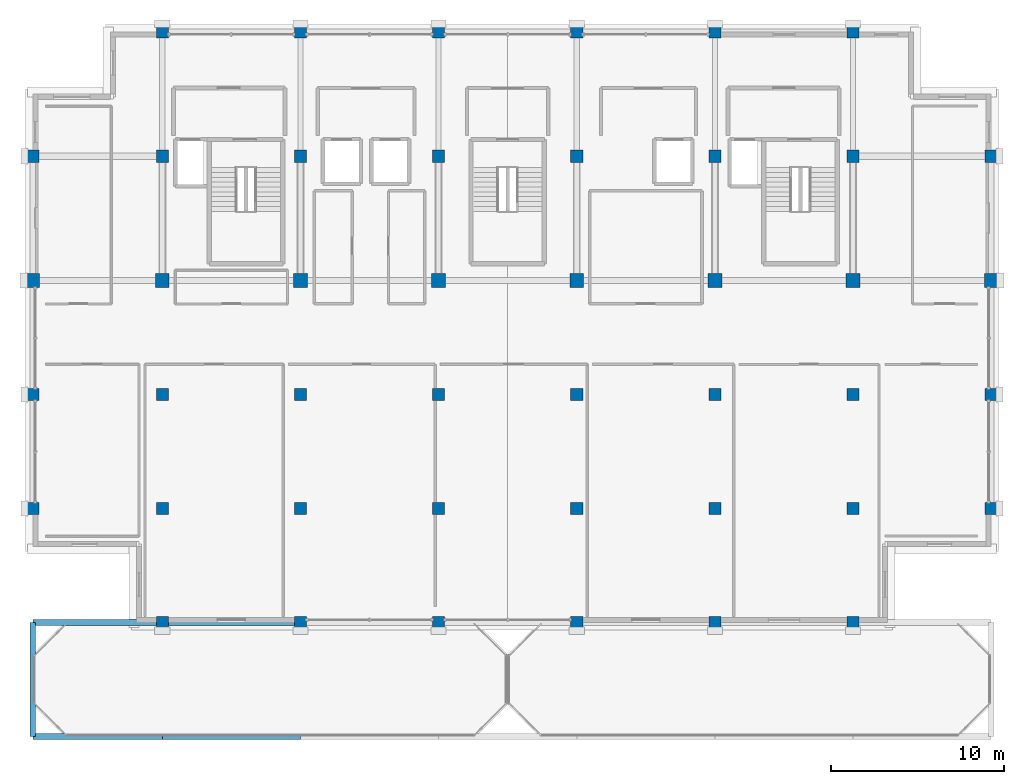
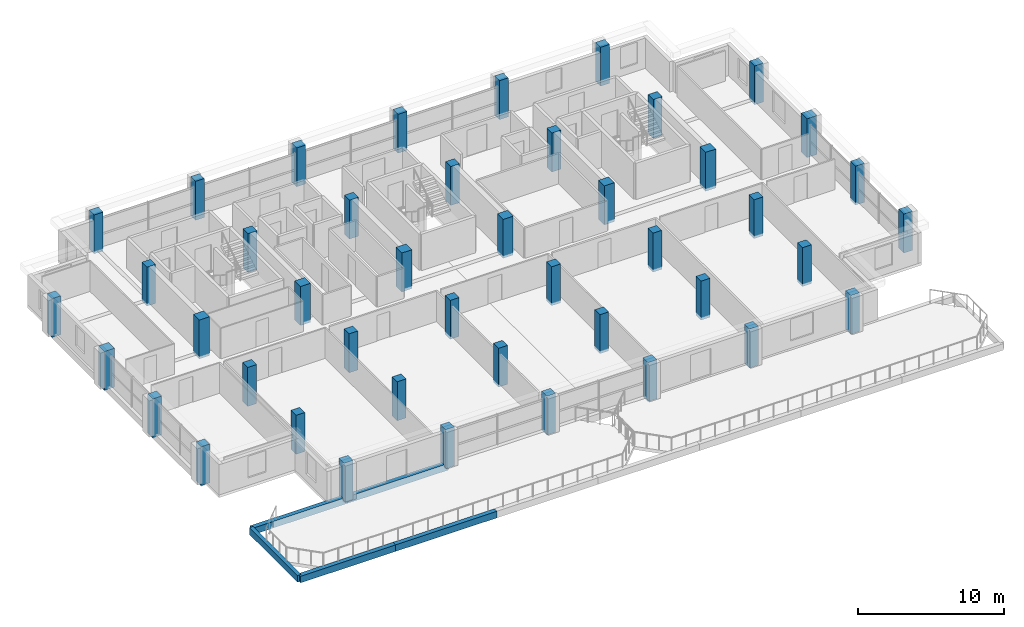
# One storey, part 1 of 21: 44 columns, 5 beams.
"""IFC4 building model written with IfcOpenShell, lengths in metres."""

import ifcopenshell
import ifcopenshell.guid

model = None  # the IFC model being written
_history = None  # IfcOwnerHistory: only IFC2X3 demands one
_inside = {}  # id of a spatial element -> (the spatial element, [elements in it])
_under = {}  # id of a project, library or spatial element -> (it, [spatial elements below it])
_declared = {}  # id of a project -> (the project, [libraries it declares])
_typed = {}  # id of a type object -> (the type object, [elements of that type])
_made_of = {}  # id of a material, layer set ... -> (it, [elements and type objects made of it])


def new_model(schema):
    """Start an empty IFC model of exactly this schema.

    Asked for "IFC4X3", IfcOpenShell would pick the latest addendum, in which some entities
    have other attributes; the version numbers below select the first issue.
    IFC2X3 requires an IfcOwnerHistory on every rooted entity: one is made here for all.
    """
    global model, _history
    if schema == "IFC4X3":
        model = ifcopenshell.file(schema_version=(4, 3, 0, 0))
    else:
        model = ifcopenshell.file(schema=schema)
    _inside.clear()
    _under.clear()
    _declared.clear()
    _typed.clear()
    _made_of.clear()
    _history = None
    if model.schema == "IFC2X3":
        org = make("IfcOrganization", Name="unknown")
        user = make(
            "IfcPersonAndOrganization",
            ThePerson=make("IfcPerson", FamilyName="unknown"),
            TheOrganization=org,
        )
        app = make(
            "IfcApplication",
            ApplicationDeveloper=org,
            Version="unknown",
            ApplicationFullName="unknown",
            ApplicationIdentifier="unknown",
        )
        _history = make(
            "IfcOwnerHistory",
            OwningUser=user,
            OwningApplication=app,
            ChangeAction="ADDED",
            CreationDate=0,
        )
    return model


def make(cls, **values):
    """One entity of the class cls with the attributes given. An attribute that is None is left unset."""
    return model.create_entity(
        cls, **{name: value for name, value in values.items() if value is not None}
    )


def rooted(cls, **values):
    """An entity with a GlobalId (a new one), such as an element, a storey or a relation."""
    return make(cls, GlobalId=ifcopenshell.guid.new(), OwnerHistory=_history, **values)


def si_unit(unit_type, name, prefix=None):
    """IfcSIUnit, for example si_unit("LENGTHUNIT", "METRE", prefix="MILLI")."""
    return make("IfcSIUnit", UnitType=unit_type, Prefix=prefix, Name=name)


def assignment(units):
    """IfcUnitAssignment: the units of a project."""
    return None if units is None else make("IfcUnitAssignment", Units=units)


def point(xyz):
    """IfcCartesianPoint."""
    return None if xyz is None else make("IfcCartesianPoint", Coordinates=xyz)


def direction(xyz):
    """IfcDirection."""
    return None if xyz is None else make("IfcDirection", DirectionRatios=xyz)


def frame(location, z_axis=None, x_axis=None):
    """IfcAxis2Placement3D, a coordinate frame: its origin and axes. An axis left out is left unset."""
    return make(
        "IfcAxis2Placement3D",
        Location=point(location),
        Axis=direction(z_axis),
        RefDirection=direction(x_axis),
    )


def frame_2d(location, x_axis=None):
    """IfcAxis2Placement2D, a coordinate frame in the plane: its origin and x axis."""
    return make(
        "IfcAxis2Placement2D", Location=point(location), RefDirection=direction(x_axis)
    )


def origin():
    """The frame at (0, 0, 0) with its axes left unset."""
    return frame((0.0, 0.0, 0.0))


def origin_2d():
    """The frame at (0, 0) in the plane with its x axis left unset."""
    return frame_2d((0.0, 0.0))


def place(relative_to, where):
    """IfcLocalPlacement: puts the frame where relative to a parent placement (None: the world)."""
    return make(
        "IfcLocalPlacement", PlacementRelTo=relative_to, RelativePlacement=where
    )


def context(
    kind, dimensions, precision=None, world=None, true_north=None, identifier=None
):
    """IfcGeometricRepresentationContext, for example the 3D "Model" context."""
    return make(
        "IfcGeometricRepresentationContext",
        ContextIdentifier=identifier,
        ContextType=kind,
        CoordinateSpaceDimension=dimensions,
        Precision=precision,
        WorldCoordinateSystem=world,
        TrueNorth=true_north,
    )


def subcontext(parent, identifier, kind, view, scale=None):
    """IfcGeometricRepresentationSubContext, for example "Body" below "Model"."""
    return make(
        "IfcGeometricRepresentationSubContext",
        ContextIdentifier=identifier,
        ContextType=kind,
        ParentContext=parent,
        TargetScale=scale,
        TargetView=view,
    )


def project(units=None, contexts=None):
    """IfcProject with its units and contexts."""
    return rooted(
        "IfcProject",
        Name="project",
        RepresentationContexts=contexts,
        UnitsInContext=assignment(units),
    )


def spatial(cls, under=None, at=None, **own):
    """A site, building, storey or space (cls), placed at a placement, below another one or the project."""
    s = rooted(cls, ObjectPlacement=at, **own)
    if under is not None:
        _under.setdefault(under.id(), (under, []))[1].append(s)
    return s


def profile(cls, at=None, kind="AREA", **sizes):
    """A parametric profile (cls). Its sizes go by their IFC names, for example OverallWidth=200.0."""
    return make(cls, ProfileType=kind, Position=at, **sizes)


def rectangle(**sizes):
    """IfcRectangleProfileDef."""
    return profile("IfcRectangleProfileDef", **sizes)


def extrude(swept, where, along, depth):
    """IfcExtrudedAreaSolid: the profile swept, set in the frame where, extruded along a direction by depth."""
    return make(
        "IfcExtrudedAreaSolid",
        SweptArea=swept,
        Position=where,
        ExtrudedDirection=direction(along),
        Depth=depth,
    )


def shape(context_of_items, identifier, shape_type, items):
    """IfcShapeRepresentation: the items that make up one representation, for example the "Body"."""
    return make(
        "IfcShapeRepresentation",
        ContextOfItems=context_of_items,
        RepresentationIdentifier=identifier,
        RepresentationType=shape_type,
        Items=items,
    )


def material(Name=None, Category=None):
    """IfcMaterial."""
    return make("IfcMaterial", Name=Name, Category=Category)


def material_profile(
    of_material, cross_section, Name=None, Category=None, Priority=None
):
    """IfcMaterialProfile: a cross section and its material."""
    return make(
        "IfcMaterialProfile",
        Name=Name,
        Material=of_material,
        Profile=cross_section,
        Priority=Priority,
        Category=Category,
    )


def profile_set(profiles, Name=None, composite=None):
    """IfcMaterialProfileSet."""
    return make(
        "IfcMaterialProfileSet",
        Name=Name,
        MaterialProfiles=profiles,
        CompositeProfile=composite,
    )


def made_of(thing, what):
    """Note that an element or type object is made of a material, layer set ...; save() writes the relation."""
    if what is not None:
        _made_of.setdefault(what.id(), (what, []))[1].append(thing)
    return thing


def type_object(cls, material=None, **own):
    """A type object (cls), such as IfcWallType, which elements share."""
    return made_of(rooted(cls, **own), material)


def element(
    cls,
    number,
    at=None,
    inside=None,
    cuts=None,
    type_object=None,
    material=None,
    context=None,
    identifier="Body",
    shape_type=None,
    held_by="IfcProductDefinitionShape",
    body=None,
    shapes=None,
    **own,
):
    """One element of the class cls, such as IfcWall. Its Tag is "e" and its number.

    at: its placement. inside: the storey or other place that contains it. cuts: it is an
    opening in that element (IfcRelVoidsElement). A single representation is given by context,
    identifier, shape_type and body (its items); several are given by shapes. held_by: the class
    of the entity that holds the representations. save() writes the other relations.
    """
    e = rooted(cls, Tag="e%d" % number, ObjectPlacement=at, **own)
    if body is not None:
        shapes = [shape(context, identifier, shape_type, body)]
    if shapes is not None:
        e.Representation = make(held_by, Representations=shapes)
    if inside is not None:
        _inside.setdefault(inside.id(), (inside, []))[1].append(e)
    if cuts is not None:
        rooted(
            "IfcRelVoidsElement", RelatingBuildingElement=cuts, RelatedOpeningElement=e
        )
    if type_object is not None:
        _typed.setdefault(type_object.id(), (type_object, []))[1].append(e)
    return made_of(e, material)


def aggregate(whole, parts):
    """IfcRelAggregates: a whole, such as a stair, and the parts it consists of."""
    return rooted("IfcRelAggregates", RelatingObject=whole, RelatedObjects=parts)


def save(model, path):
    """Write the relations noted so far, then the file.

    IfcRelAggregates (storeys below a building ...), IfcRelContainedInSpatialStructure (elements
    in a storey), IfcRelDefinesByType, IfcRelAssociatesMaterial and IfcRelDeclares: one each for
    every whole, place, type object, material and project.
    """
    for whole, parts in _under.values():
        aggregate(whole, parts)
    for where, things in _inside.values():
        rooted(
            "IfcRelContainedInSpatialStructure",
            RelatedElements=things,
            RelatingStructure=where,
        )
    for kind, things in _typed.values():
        rooted("IfcRelDefinesByType", RelatedObjects=things, RelatingType=kind)
    for what, things in _made_of.values():
        rooted("IfcRelAssociatesMaterial", RelatedObjects=things, RelatingMaterial=what)
    for by, libraries in _declared.values():
        rooted("IfcRelDeclares", RelatingContext=by, RelatedDefinitions=libraries)
    model.write(path)


model = new_model("IFC4")

# Units and contexts
model_context = context("Model", 3, precision=1e-05, world=origin(), true_north=direction((0.0, 1.0)))
body_context = subcontext(model_context, "Body", "Model", "MODEL_VIEW")
ifc_project = project(units=[si_unit("LENGTHUNIT", "METRE"), si_unit("AREAUNIT", "SQUARE_METRE"), si_unit("VOLUMEUNIT", "CUBIC_METRE"), si_unit("PLANEANGLEUNIT", "RADIAN"), si_unit("MASSUNIT", "GRAM", prefix="KILO")], contexts=[model_context])

# Site, building, storey
site_placement = place(None, origin())
site = spatial("IfcSite", under=ifc_project, at=site_placement, CompositionType="ELEMENT")
building_placement = place(site_placement, origin())
building = spatial("IfcBuilding", under=site, at=building_placement, Name="Akrevak Sports Hall", CompositionType="ELEMENT")
storey_placement = place(building_placement, frame((0.0, 0.0, 53.550048828125)))
storey = spatial("IfcBuildingStorey", under=building, at=storey_placement, Name="L13", CompositionType="ELEMENT", Elevation=53.550048828125)

# Columns
ifc_material = material(Name="Concrete C40/50", Category="concrete")
ifc_material_profile_1 = material_profile(ifc_material, rectangle(XDim=0.699951171875, YDim=0.699951171875, at=origin_2d()), Name="RC 700x700", Category="concrete")
ifc_profile_set_1 = profile_set([ifc_material_profile_1], Name="Concrete C40/50")
column_type_1 = type_object("IfcColumnType", Name="STR-COL-RC700", PredefinedType="COLUMN", material=ifc_profile_set_1)
for number, where, z_axis, x_axis, name in (
    (1, (52.5, 42.0, -0.219970703125), (0.0, 0.0, 1.0), (1.0, 0.0, 0.0), "Column 8/G (L13)"),
    (2, (52.5, 48.60009765625, -0.219970703125), (0.0, 0.0, 1.0), (1.0, 0.0, 0.0), "Column 8/H (L13)"),
    (3, (52.5, 62.39990234375, -0.219970703125), (0.0, 0.0, 1.0), (1.0, 0.0, 0.0), "Column 8/J (L13)"),
    (4, (60.0, 35.39990234375, -0.219970703125), (0.0, 0.0, 1.0), (1.0, 0.0, 0.0), "Column 9/F (L13)"),
    (5, (60.0, 42.0, -0.219970703125), (0.0, 0.0, 1.0), (1.0, 0.0, 0.0), "Column 9/G (L13)"),
    (6, (60.0, 48.60009765625, -0.219970703125), (0.0, 0.0, 1.0), (1.0, 0.0, 0.0), "Column 9/H (L13)"),
    (7, (60.0, 62.39990234375, -0.219970703125), (0.0, 0.0, 1.0), (1.0, 0.0, 0.0), "Column 9/J (L13)"),
    (8, (60.0, 69.60009765625, -0.219970703125), (0.0, 0.0, 1.0), (1.0, 0.0, 0.0), "Column 9/K (L13)"),
    (9, (68.0, 35.39990234375, -0.219970703125), (0.0, 0.0, 1.0), (1.0, 0.0, 0.0), "Column 10/F (L13)"),
    (10, (68.0, 42.0, -0.219970703125), (0.0, 0.0, 1.0), (1.0, 0.0, 0.0), "Column 10/G (L13)"),
    (11, (68.0, 48.60009765625, -0.219970703125), (0.0, 0.0, 1.0), (1.0, 0.0, 0.0), "Column 10/H (L13)"),
    (12, (68.0, 62.39990234375, -0.219970703125), (0.0, 0.0, 1.0), (1.0, 0.0, 0.0), "Column 10/J (L13)"),
    (13, (68.0, 69.60009765625, -0.219970703125), (0.0, 0.0, 1.0), (1.0, 0.0, 0.0), "Column 10/K (L13)"),
    (14, (76.0, 35.39990234375, -0.219970703125), (0.0, 0.0, 1.0), (1.0, 0.0, 0.0), "Column 11/F (L13)"),
    (15, (76.0, 42.0, -0.219970703125), (0.0, 0.0, 1.0), (1.0, 0.0, 0.0), "Column 11/G (L13)"),
    (16, (76.0, 48.60009765625, -0.219970703125), (0.0, 0.0, 1.0), (1.0, 0.0, 0.0), "Column 11/H (L13)"),
    (17, (76.0, 62.39990234375, -0.219970703125), (0.0, 0.0, 1.0), (1.0, 0.0, 0.0), "Column 11/J (L13)"),
    (18, (76.0, 69.60009765625, -0.219970703125), (0.0, 0.0, 1.0), (1.0, 0.0, 0.0), "Column 11/K (L13)"),
    (19, (84.0, 35.39990234375, -0.219970703125), (0.0, 0.0, 1.0), (1.0, 0.0, 0.0), "Column 12/F (L13)"),
    (20, (84.0, 42.0, -0.219970703125), (0.0, 0.0, 1.0), (1.0, 0.0, 0.0), "Column 12/G (L13)"),
    (21, (84.0, 48.60009765625, -0.219970703125), (0.0, 0.0, 1.0), (1.0, 0.0, 0.0), "Column 12/H (L13)"),
    (22, (84.0, 62.39990234375, -0.219970703125), (0.0, 0.0, 1.0), (1.0, 0.0, 0.0), "Column 12/J (L13)"),
    (23, (84.0, 69.60009765625, -0.219970703125), (0.0, 0.0, 1.0), (1.0, 0.0, 0.0), "Column 12/K (L13)"),
    (24, (92.0, 35.39990234375, -0.219970703125), (0.0, 0.0, 1.0), (1.0, 0.0, 0.0), "Column 13/F (L13)"),
    (25, (92.0, 42.0, -0.219970703125), (0.0, 0.0, 1.0), (1.0, 0.0, 0.0), "Column 13/G (L13)"),
    (26, (92.0, 48.60009765625, -0.219970703125), (0.0, 0.0, 1.0), (1.0, 0.0, 0.0), "Column 13/H (L13)"),
    (27, (92.0, 62.39990234375, -0.219970703125), (0.0, 0.0, 1.0), (1.0, 0.0, 0.0), "Column 13/J (L13)"),
    (28, (92.0, 69.60009765625, -0.219970703125), (0.0, 0.0, 1.0), (1.0, 0.0, 0.0), "Column 13/K (L13)"),
    (29, (100.0, 35.39990234375, -0.219970703125), (0.0, 0.0, 1.0), (1.0, 0.0, 0.0), "Column 14/F (L13)"),
    (30, (100.0, 42.0, -0.219970703125), (0.0, 0.0, 1.0), (1.0, 0.0, 0.0), "Column 14/G (L13)"),
    (31, (100.0, 48.60009765625, -0.219970703125), (0.0, 0.0, 1.0), (1.0, 0.0, 0.0), "Column 14/H (L13)"),
    (32, (100.0, 62.39990234375, -0.219970703125), (0.0, 0.0, 1.0), (1.0, 0.0, 0.0), "Column 14/J (L13)"),
    (33, (100.0, 69.60009765625, -0.219970703125), (0.0, 0.0, 1.0), (1.0, 0.0, 0.0), "Column 14/K (L13)"),
    (34, (108.0, 42.0, -0.219970703125), (0.0, 0.0, 1.0), (1.0, 0.0, 0.0), "Column 15/G (L13)"),
    (35, (108.0, 48.60009765625, -0.219970703125), (0.0, 0.0, 1.0), (1.0, 0.0, 0.0), "Column 15/H (L13)"),
    (36, (108.0, 62.39990234375, -0.219970703125), (0.0, 0.0, 1.0), (1.0, 0.0, 0.0), "Column 15/J (L13)"),
):
    element("IfcColumn", number, at=place(storey_placement, frame(where, z_axis=z_axis, x_axis=x_axis)), inside=storey, type_object=column_type_1, Name=name, PredefinedType="COLUMN", context=body_context, shape_type="SweptSolid", body=[
        extrude(rectangle(XDim=0.699951171875, YDim=0.699951171875, at=origin_2d()), origin(), (0.0, 0.0, 1.0), 3.25),
    ])
ifc_material_profile_2 = material_profile(ifc_material, rectangle(XDim=0.800048828125, YDim=0.800048828125, at=origin_2d()), Name="RC 800x800", Category="concrete")
ifc_profile_set_2 = profile_set([ifc_material_profile_2], Name="Concrete C40/50")
column_type_2 = type_object("IfcColumnType", Name="STR-COL-RC800", PredefinedType="COLUMN", material=ifc_profile_set_2)
for number, where, z_axis, x_axis, name in (
    (37, (52.5, 55.199951171875, -0.219970703125), (0.0, 0.0, 1.0), (1.0, 0.0, 0.0), "Column 8/I (L13)"),
    (38, (60.0, 55.199951171875, -0.219970703125), (0.0, 0.0, 1.0), (1.0, 0.0, 0.0), "Column 9/I (L13)"),
    (39, (68.0, 55.199951171875, -0.219970703125), (0.0, 0.0, 1.0), (1.0, 0.0, 0.0), "Column 10/I (L13)"),
    (40, (76.0, 55.199951171875, -0.219970703125), (0.0, 0.0, 1.0), (1.0, 0.0, 0.0), "Column 11/I (L13)"),
    (41, (84.0, 55.199951171875, -0.219970703125), (0.0, 0.0, 1.0), (1.0, 0.0, 0.0), "Column 12/I (L13)"),
    (42, (92.0, 55.199951171875, -0.219970703125), (0.0, 0.0, 1.0), (1.0, 0.0, 0.0), "Column 13/I (L13)"),
    (43, (100.0, 55.199951171875, -0.219970703125), (0.0, 0.0, 1.0), (1.0, 0.0, 0.0), "Column 14/I (L13)"),
    (44, (108.0, 55.199951171875, -0.219970703125), (0.0, 0.0, 1.0), (1.0, 0.0, 0.0), "Column 15/I (L13)"),
):
    element("IfcColumn", number, at=place(storey_placement, frame(where, z_axis=z_axis, x_axis=x_axis)), inside=storey, type_object=column_type_2, Name=name, PredefinedType="COLUMN", context=body_context, shape_type="SweptSolid", body=[
        extrude(rectangle(XDim=0.800048828125, YDim=0.800048828125, at=origin_2d()), origin(), (0.0, 0.0, 1.0), 3.25),
    ])

# Beams
ifc_material_profile_3 = material_profile(ifc_material, rectangle(XDim=0.300048828125, YDim=0.550048828125, at=origin_2d()), Name="BM 300x550", Category="concrete")
ifc_profile_set_3 = profile_set([ifc_material_profile_3], Name="Concrete C40/50")
beam_type_1 = type_object("IfcBeamType", Name="STR-BM-RC300x550", PredefinedType="BEAM", material=ifc_profile_set_3)
beam_1_placement = place(storey_placement, frame((52.5, 28.800048828125, -0.275146484375), z_axis=(0.0, 1.0, 0.0), x_axis=(-1.0, 0.0, 0.0)))
element("IfcBeam", 45, at=beam_1_placement, inside=storey, type_object=beam_type_1, Name="Girder 8/E-F (L13)", PredefinedType="BEAM", context=body_context, shape_type="SweptSolid", body=[
    extrude(rectangle(XDim=0.300048828125, YDim=0.550048828125, at=origin_2d()), origin(), (0.0, 0.0, 1.0), 6.599853515625),
])
ifc_material_profile_4 = material_profile(ifc_material, rectangle(XDim=0.35009765625, YDim=0.550048828125, at=origin_2d()), Name="BM 350x550", Category="concrete")
ifc_profile_set_4 = profile_set([ifc_material_profile_4], Name="Concrete C40/50")
beam_type_2 = type_object("IfcBeamType", Name="STR-BM-RC350x550", PredefinedType="BEAM", material=ifc_profile_set_4)
beam_2_placement = place(storey_placement, frame((52.5, 28.800048828125, -0.275146484375), z_axis=(1.0, 0.0, 0.0), x_axis=(0.0, 1.0, 0.0)))
element("IfcBeam", 46, at=beam_2_placement, inside=storey, type_object=beam_type_2, Name="Girder E/8-9 (L13)", PredefinedType="BEAM", context=body_context, shape_type="SweptSolid", body=[
    extrude(rectangle(XDim=0.35009765625, YDim=0.550048828125, at=origin_2d()), origin(), (0.0, 0.0, 1.0), 7.5),
])
beam_3_placement = place(storey_placement, frame((60.0, 28.800048828125, -0.275146484375), z_axis=(1.0, 0.0, 0.0), x_axis=(0.0, 1.0, 0.0)))
element("IfcBeam", 47, at=beam_3_placement, inside=storey, type_object=beam_type_2, Name="Girder E/9-10 (L13)", PredefinedType="BEAM", context=body_context, shape_type="SweptSolid", body=[
    extrude(rectangle(XDim=0.35009765625, YDim=0.550048828125, at=origin_2d()), origin(), (0.0, 0.0, 1.0), 8.0),
])
beam_4_placement = place(storey_placement, frame((52.5, 35.39990234375, -0.275146484375), z_axis=(1.0, 0.0, 0.0), x_axis=(0.0, 1.0, 0.0)))
element("IfcBeam", 48, at=beam_4_placement, inside=storey, type_object=beam_type_2, Name="Girder F/8-9 (L13)", PredefinedType="BEAM", context=body_context, shape_type="SweptSolid", body=[
    extrude(rectangle(XDim=0.35009765625, YDim=0.550048828125, at=origin_2d()), origin(), (0.0, 0.0, 1.0), 7.5),
])
beam_5_placement = place(storey_placement, frame((60.0, 35.39990234375, -0.275146484375), z_axis=(1.0, 0.0, 0.0), x_axis=(0.0, 1.0, 0.0)))
element("IfcBeam", 49, at=beam_5_placement, inside=storey, type_object=beam_type_2, Name="Girder F/9-10 (L13)", PredefinedType="BEAM", context=body_context, shape_type="SweptSolid", body=[
    extrude(rectangle(XDim=0.35009765625, YDim=0.550048828125, at=origin_2d()), origin(), (0.0, 0.0, 1.0), 8.0),
])

save(model, "model.ifc")
